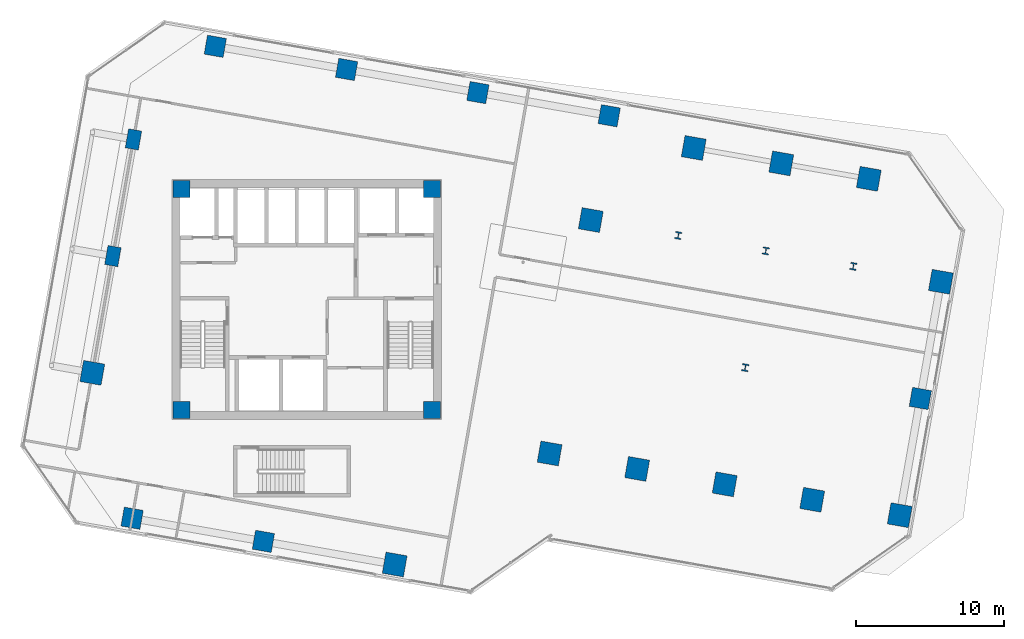
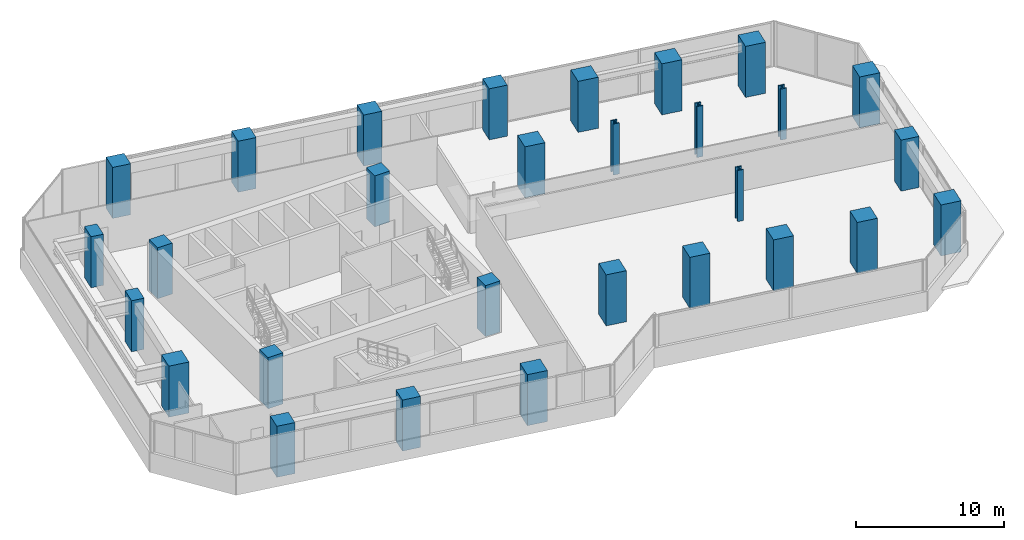
# One storey, part 1 of 24: 29 columns.
"""IFC4 building model written with IfcOpenShell, lengths in metres."""

from ifc_helpers import new_model, si_unit, direction, frame, origin, origin_2d, place, context, subcontext, project, spatial, rectangle, i_section, extrude, source, transform, mapped, material, material_profile, profile_set, type_object, element, save


model = new_model("IFC4")

# Units and contexts
model_context = context("Model", 3, precision=1e-05, world=origin(), true_north=direction((0.0, 1.0)))
body_context = subcontext(model_context, "Body", "Model", "MODEL_VIEW")
ifc_project = project(units=[si_unit("LENGTHUNIT", "METRE"), si_unit("AREAUNIT", "SQUARE_METRE"), si_unit("VOLUMEUNIT", "CUBIC_METRE"), si_unit("PLANEANGLEUNIT", "RADIAN"), si_unit("MASSUNIT", "GRAM", prefix="KILO")], contexts=[model_context])

# Site, building, storey
site_placement = place(None, origin())
site = spatial("IfcSite", under=ifc_project, at=site_placement, CompositionType="ELEMENT")
building_placement = place(site_placement, origin())
building = spatial("IfcBuilding", under=site, at=building_placement, Name="Torre Montelarca", CompositionType="ELEMENT")
storey_placement = place(building_placement, frame((0.0, 0.0, 74.800048828125)))
storey = spatial("IfcBuildingStorey", under=building, at=storey_placement, Name="L16", CompositionType="ELEMENT", Elevation=74.800048828125)

# Columns
ifc_material_1 = material(Name="Concrete C55/67", Category="concrete")
ifc_material_profile_1 = material_profile(ifc_material_1, rectangle(XDim=1.14990234375, YDim=1.14990234375, at=origin_2d()), Name="RC1150X1150", Category="concrete")
ifc_profile_set_1 = profile_set([ifc_material_profile_1], Name="Concrete C55/67")
column_type_1 = type_object("IfcColumnType", Name="COL-RC1150", PredefinedType="COLUMN", material=ifc_profile_set_1)
shared_shape_1 = source(origin(), body_context, "Body", "SweptSolid", [
    extrude(rectangle(XDim=1.14990234375, YDim=1.14990234375, at=origin_2d()), origin(), (0.0, 0.0, 1.0), 4.198486328125),
])
for number, where, z_axis, x_axis, name in (
    (1, (9.550048828125, 24.550048828125, 0.000732421875), (0.0, 0.0, 1.0), (1.0, 0.0, 0.0), "L16 Plumb Core Corner Column 2D"),
    (2, (26.449951171875, 24.550048828125, 0.000732421875), (0.0, 0.0, 1.0), (1.0, 0.0, 0.0), "L16 Plumb Core Corner Column 4D"),
    (3, (9.550048828125, 39.449951171875, 0.000732421875), (0.0, 0.0, 1.0), (1.0, 0.0, 0.0), "L16 Plumb Core Corner Column 2F"),
    (4, (26.449951171875, 39.449951171875, 0.000732421875), (0.0, 0.0, 1.0), (1.0, 0.0, 0.0), "L16 Plumb Core Corner Column 4F"),
):
    element("IfcColumn", number, at=place(storey_placement, frame(where, z_axis=z_axis, x_axis=x_axis)), inside=storey, type_object=column_type_1, Name=name, PredefinedType="COLUMN", context=body_context, shape_type="MappedRepresentation", body=[
        mapped(shared_shape_1, transform((0.0, 0.0, 0.0), scale=1.0)),
    ])
ifc_material_2 = material(Name="Concrete C70/85", Category="concrete")
ifc_material_profile_2 = material_profile(ifc_material_2, rectangle(XDim=1.300048828125, YDim=1.300048828125, at=origin_2d()), Name="RC1300X1300", Category="concrete")
ifc_profile_set_2 = profile_set([ifc_material_profile_2], Name="Concrete C70/85")
column_type_2 = type_object("IfcColumnType", Name="COL-RC1300-EXT", PredefinedType="COLUMN", material=ifc_profile_set_2)
shared_shape_2 = source(origin(), body_context, "Body", "SweptSolid", [
    extrude(rectangle(XDim=1.300048828125, YDim=1.300048828125, at=origin_2d()), origin(), (0.0, 0.0, 1.0), 4.198486328125),
])
for number, where, z_axis, x_axis, name in (
    (5, (6.203125, 17.23193359375, 0.000732421875), (0.0, 0.0, 1.0), (-0.984807753012, 0.173648177667, 0.0), "L16 Column 2/CS"),
    (6, (11.82080078125, 49.09033203125, 0.000732421875), (0.0, 0.0, 1.0), (-0.984807753012, 0.173648177667, 0.0), "L16 Column 2/GN"),
    (7, (15.06640625, 15.669189453125, 0.000732421875), (0.0, 0.0, 1.0), (-0.984807753012, 0.173648177667, 0.0), "L16 Column 3/CS"),
    (8, (20.683837890625, 47.527587890625, 0.000732421875), (0.0, 0.0, 1.0), (-0.984807753012, 0.173648177667, 0.0), "L16 Column 3/GN"),
    (9, (29.547119140625, 45.96484375, 0.000732421875), (0.0, 0.0, 1.0), (-0.984807753012, 0.173648177667, 0.0), "L16 Column 4/GN"),
    (10, (38.410400390625, 44.40185546875, 0.000732421875), (0.0, 0.0, 1.0), (-0.984807753012, 0.173648177667, 0.0), "L16 Column 5/GN"),
    (11, (59.4150390625, 25.314453125, 0.000732421875), (0.0, 0.0, 1.0), (-0.984807753012, 0.173648177667, 0.0), "L16 Column 9/E"),
):
    element("IfcColumn", number, at=place(storey_placement, frame(where, z_axis=z_axis, x_axis=x_axis)), inside=storey, type_object=column_type_2, Name=name, PredefinedType="COLUMN", context=body_context, shape_type="MappedRepresentation", body=[
        mapped(shared_shape_2, transform((0.0, 0.0, 0.0), scale=1.0)),
    ])
ifc_material_profile_3 = material_profile(ifc_material_2, rectangle(XDim=1.449951171875, YDim=1.449951171875, at=origin_2d()), Name="RC1450X1450", Category="concrete")
ifc_profile_set_3 = profile_set([ifc_material_profile_3], Name="Concrete C70/85")
column_type_3 = type_object("IfcColumnType", Name="COL-RC1450-EXT", PredefinedType="COLUMN", material=ifc_profile_set_3)
shared_shape_3 = source(origin(), body_context, "Body", "SweptSolid", [
    extrude(rectangle(XDim=1.449951171875, YDim=1.449951171875, at=origin_2d()), origin(), (0.0, 0.0, 1.0), 4.198486328125),
])
for number, where, z_axis, x_axis, name in (
    (12, (23.9296875, 14.106201171875, 0.000732421875), (0.0, 0.0, 1.0), (-0.984807753012, 0.173648177667, 0.0), "L16 Perimeter Mega Column 4/CS"),
    (13, (58.02587890625, 17.43603515625, 0.000732421875), (0.0, 0.0, 1.0), (-0.984807753012, 0.173648177667, 0.0), "L16 Perimeter Mega Column 9/D"),
    (14, (60.80419921875, 33.193115234375, 0.000732421875), (0.0, 0.0, 1.0), (-0.984807753012, 0.173648177667, 0.0), "L16 Perimeter Mega Column 9/F"),
    (15, (3.516845703125, 27.047607421875, 0.000732421875), (0.0, 0.0, 1.0), (-0.984807753012, 0.173648177667, 0.0), "L16 Perimeter Mega Column 1W/D"),
):
    element("IfcColumn", number, at=place(storey_placement, frame(where, z_axis=z_axis, x_axis=x_axis)), inside=storey, type_object=column_type_3, Name=name, PredefinedType="COLUMN", context=body_context, shape_type="MappedRepresentation", body=[
        mapped(shared_shape_3, transform((0.0, 0.0, 0.0), scale=1.0)),
    ])
ifc_material_profile_4 = material_profile(ifc_material_2, rectangle(XDim=1.449951171875, YDim=1.449951171875, at=origin_2d()), Name="RC1450X1450", Category="concrete")
ifc_profile_set_4 = profile_set([ifc_material_profile_4], Name="Concrete C70/85")
column_type_4 = type_object("IfcColumnType", Name="COL-RC1450", PredefinedType="COLUMN", material=ifc_profile_set_4)
shared_shape_4 = source(origin(), body_context, "Body", "SweptSolid", [
    extrude(rectangle(XDim=1.449951171875, YDim=1.449951171875, at=origin_2d()), origin(), (0.0, 0.0, 1.0), 4.198486328125),
])
for number, where, z_axis, x_axis, name in (
    (16, (34.390380859375, 21.603515625, 0.000732421875), (0.0, 0.0, 1.0), (-0.984807753012, 0.173648177667, 0.0), "L16 Column 5/D"),
    (17, (37.1689453125, 37.360595703125, 0.000732421875), (0.0, 0.0, 1.0), (-0.984807753012, 0.173648177667, 0.0), "L16 Column 5/F"),
    (18, (40.29931640625, 20.561767578125, 0.000732421875), (0.0, 0.0, 1.0), (-0.984807753012, 0.173648177667, 0.0), "L16 Column 6/D"),
    (19, (44.11962890625, 42.2275390625, 0.000732421875), (0.0, 0.0, 1.0), (-0.984807753012, 0.173648177667, 0.0), "L16 Column 6/G"),
    (20, (46.208251953125, 19.52001953125, 0.000732421875), (0.0, 0.0, 1.0), (-0.984807753012, 0.173648177667, 0.0), "L16 Column 7/D"),
    (21, (50.028564453125, 41.185546875, 0.000732421875), (0.0, 0.0, 1.0), (-0.984807753012, 0.173648177667, 0.0), "L16 Column 7/G"),
    (22, (52.1171875, 18.47802734375, 0.000732421875), (0.0, 0.0, 1.0), (-0.984807753012, 0.173648177667, 0.0), "L16 Column 8/D"),
    (23, (55.937255859375, 40.143798828125, 0.000732421875), (0.0, 0.0, 1.0), (-0.984807753012, 0.173648177667, 0.0), "L16 Column 8/G"),
):
    element("IfcColumn", number, at=place(storey_placement, frame(where, z_axis=z_axis, x_axis=x_axis)), inside=storey, type_object=column_type_4, Name=name, PredefinedType="COLUMN", context=body_context, shape_type="MappedRepresentation", body=[
        mapped(shared_shape_4, transform((0.0, 0.0, 0.0), scale=1.0)),
    ])
ifc_material_3 = material(Name="Steel ASTM A992 Grade 50", Category="steel")
ifc_material_profile_5 = material_profile(ifc_material_3, i_section(OverallWidth=0.431884765625, OverallDepth=0.498046875, WebThickness=0.0556640625, FlangeThickness=0.0888671875, FilletRadius=0.014892578125, at=origin_2d()), Name="W360X744", Category="steel")
ifc_profile_set_5 = profile_set([ifc_material_profile_5], Name="Steel ASTM A992 Grade 50")
column_type_5 = type_object("IfcColumnType", Name="COL-W360X744", PredefinedType="COLUMN", material=ifc_profile_set_5)
shared_shape_5 = source(origin(), body_context, "Body", "SweptSolid", [
    extrude(i_section(OverallWidth=0.431884765625, OverallDepth=0.498046875, WebThickness=0.0556640625, FlangeThickness=0.0888671875, FilletRadius=0.014892578125, at=origin_2d()), origin(), (0.0, 0.0, 1.0), 4.198486328125),
])
for number, where, z_axis, x_axis, name in (
    (24, (43.07763671875, 36.318603515625, 0.000732421875), (0.0, 0.0, 1.0), (-0.984807753012, 0.173648177667, 0.0), "L16 Column 6/F"),
    (25, (47.597412109375, 27.398193359375, 0.000732421875), (0.0, 0.0, 1.0), (-0.984807753012, 0.173648177667, 0.0), "L16 Column 7/E"),
    (26, (48.986572265625, 35.27685546875, 0.000732421875), (0.0, 0.0, 1.0), (-0.984807753012, 0.173648177667, 0.0), "L16 Column 7/F"),
    (27, (54.8955078125, 34.23486328125, 0.000732421875), (0.0, 0.0, 1.0), (-0.984807753012, 0.173648177667, 0.0), "L16 Column 8/F"),
):
    element("IfcColumn", number, at=place(storey_placement, frame(where, z_axis=z_axis, x_axis=x_axis)), inside=storey, type_object=column_type_5, Name=name, PredefinedType="COLUMN", context=body_context, shape_type="MappedRepresentation", body=[
        mapped(shared_shape_5, transform((0.0, 0.0, 0.0), scale=1.0)),
    ])
ifc_material_profile_6 = material_profile(ifc_material_1, rectangle(XDim=0.89990234375, YDim=1.300048828125, at=origin_2d()), Name="RC1300X900", Category="concrete")
ifc_profile_set_6 = profile_set([ifc_material_profile_6], Name="Concrete C55/67")
column_type_6 = type_object("IfcColumnType", Name="COL-PIL1300-EXT", PredefinedType="PILASTER", material=ifc_profile_set_6)
shared_shape_6 = source(origin(), body_context, "Body", "SweptSolid", [
    extrude(rectangle(XDim=0.89990234375, YDim=1.300048828125, at=origin_2d()), origin(), (0.0, 0.0, 1.0), 4.198486328125),
])
for number, where, z_axis, x_axis, name in (
    (28, (4.906005859375, 34.926025390625, 0.000732421875), (0.0, 0.0, 1.0), (-0.984807753012, 0.173648177667, 0.0), "L16 Column 1W/E"),
    (29, (6.295166015625, 42.804443359375, 0.000732421875), (0.0, 0.0, 1.0), (-0.984807753012, 0.173648177667, 0.0), "L16 Column 1W/F"),
):
    element("IfcColumn", number, at=place(storey_placement, frame(where, z_axis=z_axis, x_axis=x_axis)), inside=storey, type_object=column_type_6, Name=name, PredefinedType="PILASTER", context=body_context, shape_type="MappedRepresentation", body=[
        mapped(shared_shape_6, transform((0.0, 0.0, 0.0), scale=1.0)),
    ])

save(model, "model.ifc")
